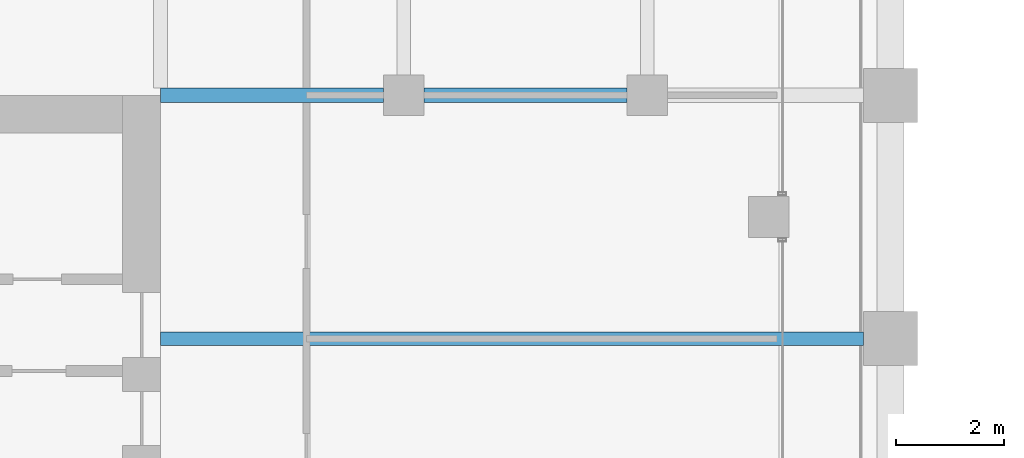
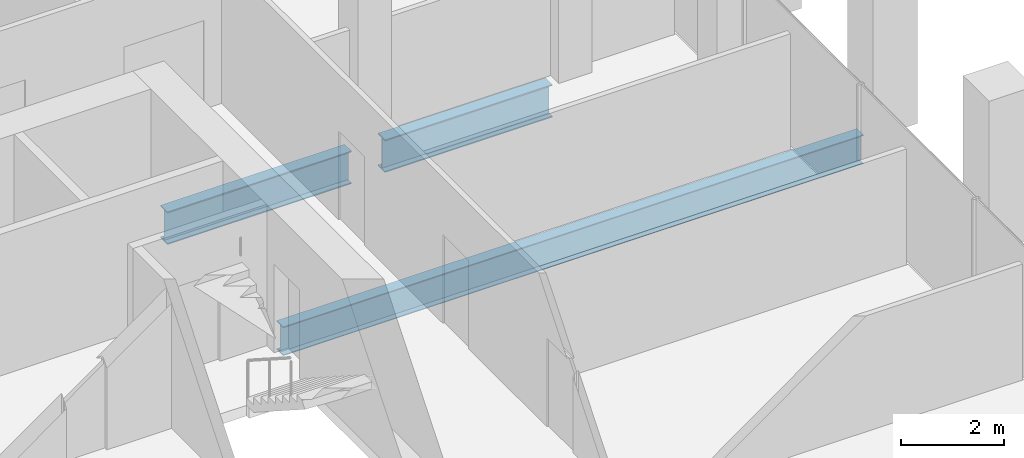
# One storey, part 18 of 47: 3 beams.
"""IFC4 building model written with IfcOpenShell, lengths in metres."""

from ifc_helpers import new_model, si_unit, direction, frame, origin, origin_2d, place, context, subcontext, project, spatial, i_section, extrude, material, material_profile, profile_set, type_object, element, save


model = new_model("IFC4")

# Units and contexts
model_context = context("Model", 3, precision=1e-05, world=origin(), true_north=direction((0.0, 1.0)))
body_context = subcontext(model_context, "Body", "Model", "MODEL_VIEW")
ifc_project = project(units=[si_unit("LENGTHUNIT", "METRE"), si_unit("AREAUNIT", "SQUARE_METRE"), si_unit("VOLUMEUNIT", "CUBIC_METRE"), si_unit("PLANEANGLEUNIT", "RADIAN"), si_unit("MASSUNIT", "GRAM", prefix="KILO")], contexts=[model_context])

# Site, building, storey
site_placement = place(None, origin())
site = spatial("IfcSite", under=ifc_project, at=site_placement, CompositionType="ELEMENT")
building_placement = place(site_placement, origin())
building = spatial("IfcBuilding", under=site, at=building_placement, Name="Altepetl Exchange Towers", CompositionType="ELEMENT")
storey_placement = place(building_placement, frame((0.0, 0.0, 95.60009765625)))
storey = spatial("IfcBuildingStorey", under=building, at=storey_placement, Name="L23", CompositionType="ELEMENT", Elevation=95.60009765625)

# Beams
ifc_material = material(Name="Steel S355", Category="steel")
ifc_material_profile_1 = material_profile(ifc_material, i_section(OverallWidth=0.25390625, OverallDepth=0.68408203125, WebThickness=0.012451171875, FlangeThickness=0.018798828125, at=origin_2d()), Name="W27X94")
ifc_profile_set_1 = profile_set([ifc_material_profile_1], Name="Steel S355")
beam_type_1 = type_object("IfcBeamType", Name="Floor beam W27X94", PredefinedType="BEAM", material=ifc_profile_set_1)
beam_1_placement = place(storey_placement, frame((58.5, 54.0, -0.4921875), z_axis=(1.0, 0.0, 0.0), x_axis=(0.0, 1.0, 0.0)))
element("IfcBeam", 1, at=beam_1_placement, inside=storey, type_object=beam_type_1, Name="bm:A:L23:011", PredefinedType="BEAM", context=body_context, shape_type="SweptSolid", body=[
    extrude(i_section(OverallWidth=0.25390625, OverallDepth=0.68408203125, WebThickness=0.012451171875, FlangeThickness=0.018798828125, at=origin_2d()), origin(), (0.0, 0.0, 1.0), 13.0),
])
ifc_material_profile_2 = material_profile(ifc_material, i_section(OverallWidth=0.26806640625, OverallDepth=0.77392578125, WebThickness=0.015380859375, FlangeThickness=0.025390625, at=origin_2d()), Name="W30X132")
ifc_profile_set_2 = profile_set([ifc_material_profile_2], Name="Steel S355")
beam_type_2 = type_object("IfcBeamType", Name="Girder W30X132", PredefinedType="BEAM", material=ifc_profile_set_2)
beam_2_placement = place(storey_placement, frame((58.5, 58.5, -0.537109375), z_axis=(1.0, 0.0, 0.0), x_axis=(0.0, 1.0, 0.0)))
element("IfcBeam", 2, at=beam_2_placement, inside=storey, type_object=beam_type_2, Name="gd:A:L23:000", PredefinedType="BEAM", context=body_context, shape_type="SweptSolid", body=[
    extrude(i_section(OverallWidth=0.26806640625, OverallDepth=0.77392578125, WebThickness=0.015380859375, FlangeThickness=0.025390625, at=origin_2d()), origin(), (0.0, 0.0, 1.0), 4.125),
])
beam_3_placement = place(storey_placement, frame((63.375, 58.5, -0.537109375), z_axis=(1.0, 0.0, 0.0), x_axis=(0.0, 1.0, 0.0)))
element("IfcBeam", 3, at=beam_3_placement, inside=storey, type_object=beam_type_2, Name="gd:A:L23:001", PredefinedType="BEAM", context=body_context, shape_type="SweptSolid", body=[
    extrude(i_section(OverallWidth=0.26806640625, OverallDepth=0.77392578125, WebThickness=0.015380859375, FlangeThickness=0.025390625, at=origin_2d()), origin(), (0.0, 0.0, 1.0), 3.75),
])

save(model, "model.ifc")
